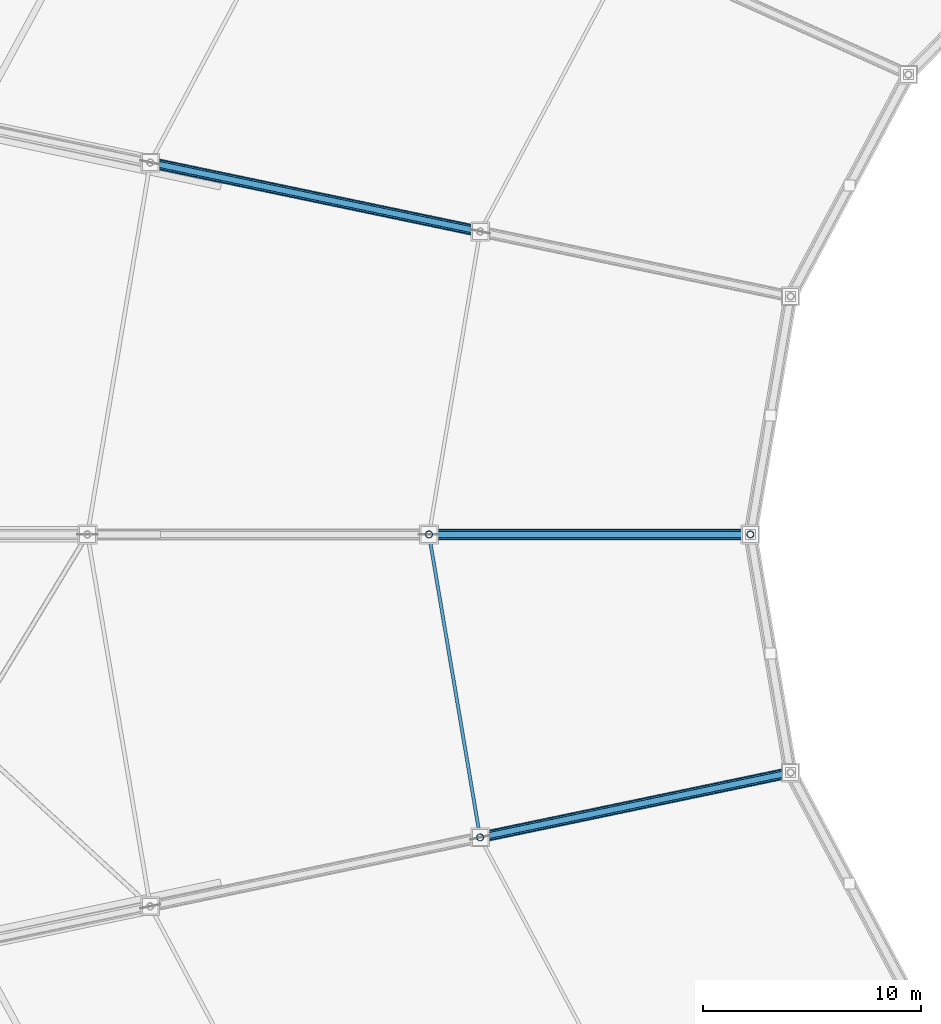
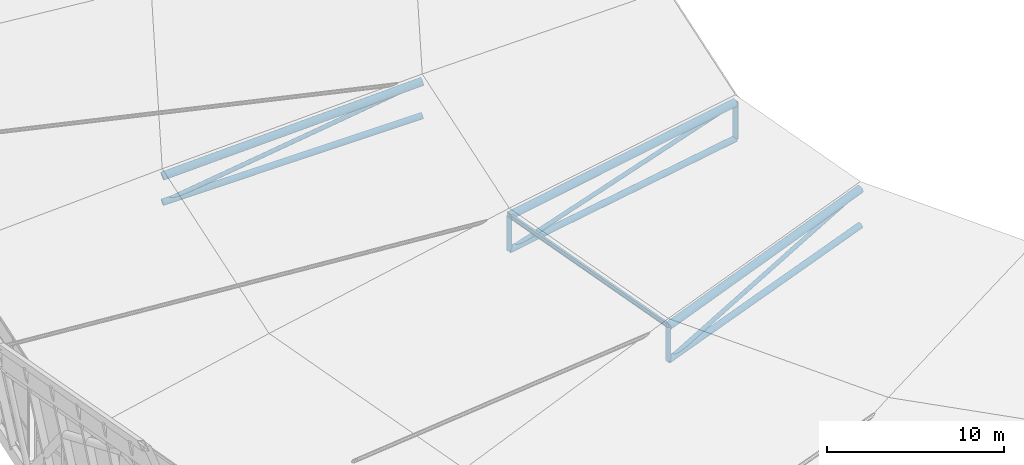
# One storey, part 24 of 115: 13 members.
"""IFC4 building model written with IfcOpenShell, lengths in metres."""

from ifc_helpers import new_model, si_unit, direction, frame, origin, origin_2d, place, context, subcontext, project, spatial, hollow_circle, i_section, extrude, material, material_profile, profile_set, type_object, element, save


model = new_model("IFC4")

# Units and contexts
model_context = context("Model", 3, precision=1e-05, world=origin(), true_north=direction((0.0, 1.0)))
body_context = subcontext(model_context, "Body", "Model", "MODEL_VIEW")
ifc_project = project(units=[si_unit("LENGTHUNIT", "METRE"), si_unit("AREAUNIT", "SQUARE_METRE"), si_unit("VOLUMEUNIT", "CUBIC_METRE"), si_unit("PLANEANGLEUNIT", "RADIAN"), si_unit("MASSUNIT", "GRAM", prefix="KILO")], contexts=[model_context])

# Site, building, storey
site_placement = place(None, origin())
site = spatial("IfcSite", under=ifc_project, at=site_placement, CompositionType="ELEMENT")
building_placement = place(site_placement, origin())
building = spatial("IfcBuilding", under=site, at=building_placement, Name="Zlatoyarsky Gate Stadium", CompositionType="ELEMENT")
storey_placement = place(building_placement, frame((0.0, 0.0, 31.800048828125)))
storey = spatial("IfcBuildingStorey", under=building, at=storey_placement, Name="RF", CompositionType="ELEMENT", Elevation=31.800048828125)

# Members
ifc_material = material(Name="Steel S355", Category="steel")
ifc_material_profile_1 = material_profile(ifc_material, hollow_circle(Radius=0.203125, WallThickness=0.02001953125, at=origin_2d()), Name="CHS 406.4X20")
ifc_profile_set_1 = profile_set([ifc_material_profile_1], Name="Steel S355")
member_type_1 = type_object("IfcMemberType", Name="STEEL ARCH INNER CHORD CHS 406.4X20", PredefinedType="CHORD", material=ifc_profile_set_1)
member_1_placement = place(storey_placement, frame((29.491943359375, 97.03662109375, 1.349853515625), z_axis=(0.965249914484, -0.201764304536, 0.166083617508), x_axis=(0.204605938681, 0.978844425768, 0.0)))
element("IfcMember", 1, at=member_1_placement, inside=storey, type_object=member_type_1, Name="Radial truss R12 bottom chord 2", PredefinedType="CHORD", context=body_context, shape_type="SweptSolid", body=[
    extrude(hollow_circle(Radius=0.203125, WallThickness=0.02001953125, at=origin_2d()), origin(), (0.0, 0.0, 1.0), 15.6552734375),
])
member_2_placement = place(storey_placement, frame((42.260986328125, 80.0, 3.949951171875), z_axis=(0.98589012796, 0.0, 0.167393714314), x_axis=(0.0, 1.0, 0.0)))
element("IfcMember", 2, at=member_2_placement, inside=storey, type_object=member_type_1, Name="Radial truss R13 bottom chord 3", PredefinedType="CHORD", context=body_context, shape_type="SweptSolid", body=[
    extrude(hollow_circle(Radius=0.203125, WallThickness=0.02001953125, at=origin_2d()), origin(), (0.0, 0.0, 1.0), 14.934814453125),
])
member_3_placement = place(storey_placement, frame((44.603271484375, 66.1220703125, 3.949951171875), z_axis=(0.964672188905, 0.201628161911, 0.169569019215), x_axis=(-0.204590984252, 0.978847551544, 0.0)))
element("IfcMember", 3, at=member_3_placement, inside=storey, type_object=member_type_1, Name="Radial truss R14 bottom chord 3", PredefinedType="CHORD", context=body_context, shape_type="SweptSolid", body=[
    extrude(hollow_circle(Radius=0.203125, WallThickness=0.02001953125, at=origin_2d()), origin(), (0.0, 0.0, 1.0), 14.7431640625),
])
ifc_material_profile_2 = material_profile(ifc_material, hollow_circle(Radius=0.25390625, WallThickness=0.02490234375, at=origin_2d()), Name="CHS 508X25")
ifc_profile_set_2 = profile_set([ifc_material_profile_2], Name="Steel S355")
member_type_2 = type_object("IfcMemberType", Name="STEEL ARCH TOP CHORD CHS 508X25", PredefinedType="CHORD", material=ifc_profile_set_2)
member_4_placement = place(storey_placement, frame((29.491943359375, 97.03662109375, 3.14990234375), z_axis=(0.959081226952, -0.200474875829, 0.199932549298), x_axis=(0.204605938681, 0.978844425768, 0.0)))
element("IfcMember", 4, at=member_4_placement, inside=storey, type_object=member_type_2, Name="Radial truss R12 top chord 2", PredefinedType="CHORD", context=body_context, shape_type="SweptSolid", body=[
    extrude(hollow_circle(Radius=0.25390625, WallThickness=0.02490234375, at=origin_2d()), origin(), (0.0, 0.0, 1.0), 15.756103515625),
])
member_5_placement = place(storey_placement, frame((42.260986328125, 80.0, 6.300048828125), z_axis=(0.98418844493, 0.0, 0.177124546199), x_axis=(0.0, 1.0, 0.0)))
element("IfcMember", 5, at=member_5_placement, inside=storey, type_object=member_type_2, Name="Radial truss R13 top chord 3", PredefinedType="CHORD", context=body_context, shape_type="SweptSolid", body=[
    extrude(hollow_circle(Radius=0.25390625, WallThickness=0.02490234375, at=origin_2d()), origin(), (0.0, 0.0, 1.0), 14.960693359375),
])
member_6_placement = place(storey_placement, frame((44.603271484375, 66.1220703125, 6.300048828125), z_axis=(0.962963687907, 0.201271064526, 0.179418210772), x_axis=(-0.204590984252, 0.978847551544, 0.0)))
element("IfcMember", 6, at=member_6_placement, inside=storey, type_object=member_type_2, Name="Radial truss R14 top chord 3", PredefinedType="CHORD", context=body_context, shape_type="SweptSolid", body=[
    extrude(hollow_circle(Radius=0.25390625, WallThickness=0.02490234375, at=origin_2d()), origin(), (0.0, 0.0, 1.0), 14.76953125),
])
ifc_material_profile_3 = material_profile(ifc_material, i_section(OverallWidth=0.14990234375, OverallDepth=0.300048828125, WebThickness=0.007080078125, FlangeThickness=0.0107421875, FilletRadius=0.014892578125, at=origin_2d()), Name="IPE 300")
ifc_profile_set_3 = profile_set([ifc_material_profile_3], Name="Steel S355")
member_type_3 = type_object("IfcMemberType", Name="STEEL BOWL ROOF PURLIN IPE 300", PredefinedType="PURLIN", material=ifc_profile_set_3)
member_7_placement = place(storey_placement, frame((42.260986328125, 80.0, 6.329833984375), z_axis=(0.166423982052, -0.986054287653, 0.0), x_axis=(0.986054287653, 0.166423982052, 0.0)))
element("IfcMember", 7, at=member_7_placement, inside=storey, type_object=member_type_3, Name="Stadium roof purlin 12.2", PredefinedType="PURLIN", context=body_context, shape_type="SweptSolid", body=[
    extrude(i_section(OverallWidth=0.14990234375, OverallDepth=0.300048828125, WebThickness=0.007080078125, FlangeThickness=0.0107421875, FilletRadius=0.014892578125, at=origin_2d()), origin(), (0.0, 0.0, 1.0), 14.07421875),
])
ifc_material_profile_4 = material_profile(ifc_material, hollow_circle(Radius=0.136474609375, WallThickness=0.01611328125, at=origin_2d()), Name="CHS 273X16")
ifc_profile_set_4 = profile_set([ifc_material_profile_4], Name="Steel S355")
member_type_4 = type_object("IfcMemberType", Name="STEEL ROOF TRUSS DIAGONAL CHS 273X16", PredefinedType="BRACE", material=ifc_profile_set_4)
member_8_placement = place(storey_placement, frame((29.491943359375, 97.03662109375, 1.349853515625), z_axis=(0.932098612224, -0.194834752568, 0.305338494595), x_axis=(0.204605938681, 0.978844425768, 0.0)))
element("IfcMember", 8, at=member_8_placement, inside=storey, type_object=member_type_4, Name="Radial truss R12 web diagonal 2", PredefinedType="BRACE", context=body_context, shape_type="SweptSolid", body=[
    extrude(hollow_circle(Radius=0.136474609375, WallThickness=0.01611328125, at=origin_2d()), origin(), (0.0, 0.0, 1.0), 16.212158203125),
])
member_9_placement = place(storey_placement, frame((42.260986328125, 80.0, 3.949951171875), z_axis=(0.946894216505, 0.0, 0.321545242149), x_axis=(0.0, 1.0, 0.0)))
element("IfcMember", 9, at=member_9_placement, inside=storey, type_object=member_type_4, Name="Radial truss R13 web diagonal 3", PredefinedType="BRACE", context=body_context, shape_type="SweptSolid", body=[
    extrude(hollow_circle(Radius=0.136474609375, WallThickness=0.01611328125, at=origin_2d()), origin(), (0.0, 0.0, 1.0), 15.5498046875),
])
member_10_placement = place(storey_placement, frame((44.603271484375, 66.1220703125, 3.949951171875), z_axis=(0.925577253601, 0.193456847307, 0.325393908742), x_axis=(-0.204590984252, 0.978847551544, 0.0)))
element("IfcMember", 10, at=member_10_placement, inside=storey, type_object=member_type_4, Name="Radial truss R14 web diagonal 3", PredefinedType="BRACE", context=body_context, shape_type="SweptSolid", body=[
    extrude(hollow_circle(Radius=0.136474609375, WallThickness=0.01611328125, at=origin_2d()), origin(), (0.0, 0.0, 1.0), 15.365966796875),
])
ifc_material_profile_5 = material_profile(ifc_material, hollow_circle(Radius=0.161865234375, WallThickness=0.01611328125, at=origin_2d()), Name="CHS 323.9X16")
ifc_profile_set_5 = profile_set([ifc_material_profile_5], Name="Steel S355")
member_type_5 = type_object("IfcMemberType", Name="STEEL TRUSS WEB STRUT CHS 323.9X16", PredefinedType="STRUT", material=ifc_profile_set_5)
member_11_placement = place(storey_placement, frame((42.260986328125, 80.0, 3.949951171875), z_axis=(0.0, 0.0, 1.0), x_axis=(1.0, 0.0, 0.0)))
element("IfcMember", 11, at=member_11_placement, inside=storey, type_object=member_type_5, Name="Radial truss R13 web strut 2", PredefinedType="STRUT", context=body_context, shape_type="SweptSolid", body=[
    extrude(hollow_circle(Radius=0.161865234375, WallThickness=0.01611328125, at=origin_2d()), origin(), (0.0, 0.0, 1.0), 2.35009765625),
])
member_12_placement = place(storey_placement, frame((56.985107421875, 80.0, 6.449951171875), z_axis=(0.0, 0.0, 1.0), x_axis=(1.0, 0.0, 0.0)))
element("IfcMember", 12, at=member_12_placement, inside=storey, type_object=member_type_5, Name="Radial truss R13 web strut 3", PredefinedType="STRUT", context=body_context, shape_type="SweptSolid", body=[
    extrude(hollow_circle(Radius=0.161865234375, WallThickness=0.01611328125, at=origin_2d()), origin(), (0.0, 0.0, 1.0), 2.5),
])
member_13_placement = place(storey_placement, frame((44.603271484375, 66.1220703125, 3.949951171875), z_axis=(0.0, 0.0, 1.0), x_axis=(1.0, 0.0, 0.0)))
element("IfcMember", 13, at=member_13_placement, inside=storey, type_object=member_type_5, Name="Radial truss R14 web strut 2", PredefinedType="STRUT", context=body_context, shape_type="SweptSolid", body=[
    extrude(hollow_circle(Radius=0.161865234375, WallThickness=0.01611328125, at=origin_2d()), origin(), (0.0, 0.0, 1.0), 2.35009765625),
])

save(model, "model.ifc")
